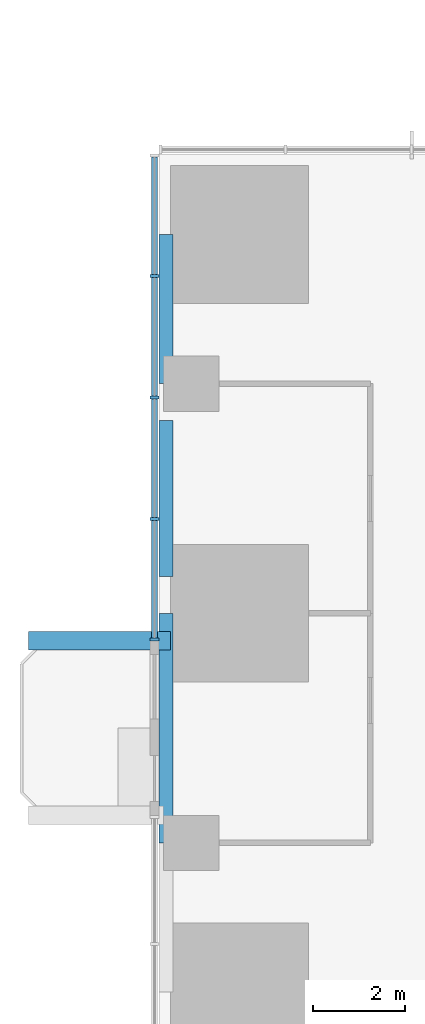
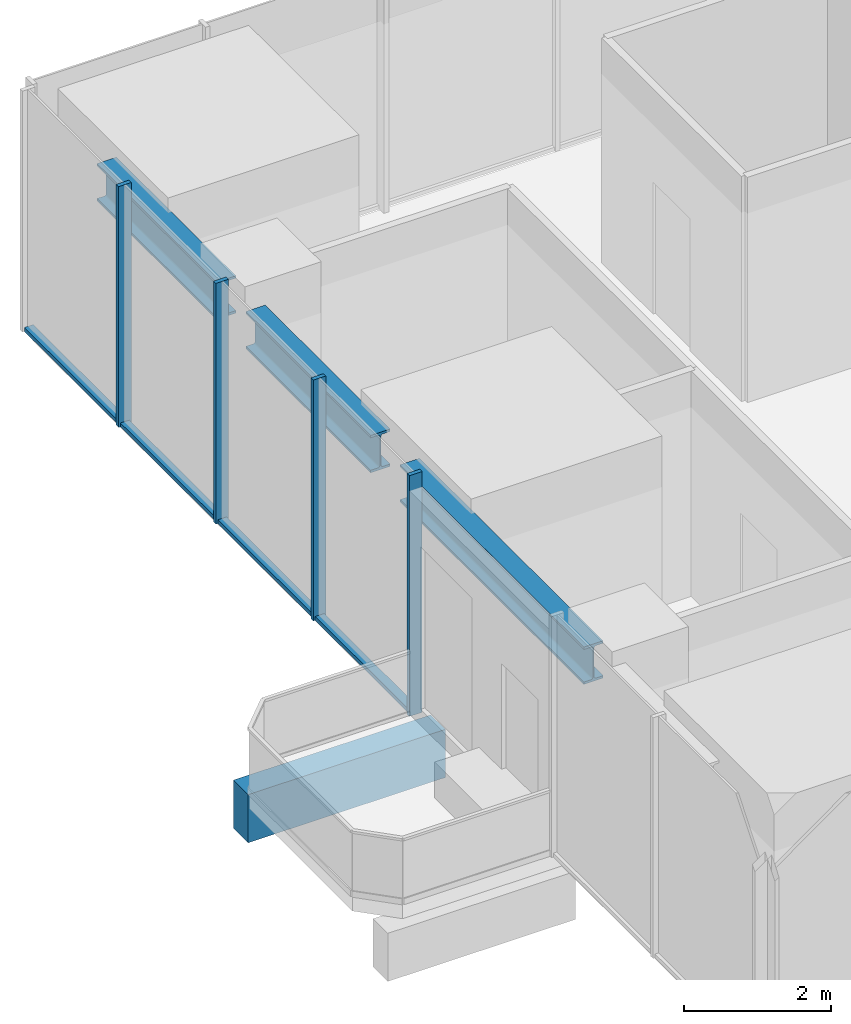
# One storey, part 3 of 14: 8 members, 4 beams, 1 element without a shape of its own.
"""IFC4 building model written with IfcOpenShell, lengths in metres."""

from ifc_helpers import new_model, si_unit, direction, frame, origin, origin_2d, place, context, subcontext, project, spatial, rectangle, i_section, extrude, material, material_profile, profile_set, type_object, element, aggregate, save


model = new_model("IFC4")

# Units and contexts
model_context = context("Model", 3, precision=1e-05, world=origin(), true_north=direction((0.0, 1.0)))
body_context = subcontext(model_context, "Body", "Model", "MODEL_VIEW")
ifc_project = project(units=[si_unit("LENGTHUNIT", "METRE"), si_unit("AREAUNIT", "SQUARE_METRE"), si_unit("VOLUMEUNIT", "CUBIC_METRE"), si_unit("PLANEANGLEUNIT", "RADIAN"), si_unit("MASSUNIT", "GRAM", prefix="KILO")], contexts=[model_context])

# Site, building, storey
site_placement = place(None, origin())
site = spatial("IfcSite", under=ifc_project, at=site_placement, CompositionType="ELEMENT")
building_placement = place(site_placement, origin())
building = spatial("IfcBuilding", under=site, at=building_placement, Name="Svetlomir Tower", CompositionType="ELEMENT")
storey_placement = place(building_placement, frame((0.0, 0.0, 104.5)))
storey = spatial("IfcBuildingStorey", under=building, at=storey_placement, Name="L24", CompositionType="ELEMENT", Elevation=104.5)

# Beam
ifc_material_1 = material(Name="Concrete C60/75", Category="concrete")
ifc_material_profile_1 = material_profile(ifc_material_1, rectangle(XDim=0.39990234375, YDim=0.800048828125, at=origin_2d()), Name="RC 400x800")
ifc_profile_set_1 = profile_set([ifc_material_profile_1], Name="Concrete C60/75")
beam_type_1 = type_object("IfcBeamType", Name="BALCONY RIB RC 400x800", PredefinedType="BEAM", material=ifc_profile_set_1)
beam_1_placement = place(storey_placement, frame((0.25, 20.39990234375, -0.64990234375), z_axis=(-1.0, 0.0, 0.0), x_axis=(0.0, -1.0, 0.0)))
element("IfcBeam", 1, at=beam_1_placement, inside=storey, type_object=beam_type_1, Name="Balcony rib W 2 L24", PredefinedType="BEAM", context=body_context, shape_type="SweptSolid", body=[
    extrude(rectangle(XDim=0.39990234375, YDim=0.800048828125, at=origin_2d()), origin(), (0.0, 0.0, 1.0), 3.10009765625),
])

# Curtain wall, members
ifc_material_2 = material(Name="Bronze anodised aluminium curtain wall", Category="aluminium")
curtain_wall_type = type_object("IfcCurtainWallType", Name="CURTAIN WALL CW1 TOWER OFFICE", PredefinedType="NOTDEFINED", material=ifc_material_2)
curtain_wall_placement = place(storey_placement, origin())
curtain_wall = element("IfcCurtainWall", 2, at=curtain_wall_placement, inside=storey, type_object=curtain_wall_type, Name="Curtain wall CW1 L24", PredefinedType="NOTDEFINED")
ifc_material_3 = material(Name="Bronze anodised aluminium", Category="aluminium")
ifc_material_profile_2 = material_profile(ifc_material_3, rectangle(XDim=0.06494140625, YDim=0.199951171875, at=origin_2d()), Name="AL 65x200")
ifc_profile_set_2 = profile_set([ifc_material_profile_2], Name="Bronze anodised aluminium 6063-T6")
member_type_1 = type_object("IfcMemberType", Name="CW1 MULLION 65x200", PredefinedType="MULLION", material=ifc_profile_set_2)
member_1_placement = place(storey_placement, frame((-0.10009765625, 28.35009765625, 0.0), z_axis=(0.0, 0.0, 1.0), x_axis=(0.0, -1.0, 0.0)))
member_1 = element("IfcMember", 3, at=member_1_placement, type_object=member_type_1, Name="CW1 mullion 2", PredefinedType="MULLION", context=body_context, shape_type="SweptSolid", body=[
    extrude(rectangle(XDim=0.06494140625, YDim=0.199951171875, at=origin_2d()), origin(), (0.0, 0.0, 1.0), 4.0),
])
member_2_placement = place(storey_placement, frame((-0.10009765625, 25.699951171875, 0.0), z_axis=(0.0, 0.0, 1.0), x_axis=(0.0, -1.0, 0.0)))
member_2 = element("IfcMember", 4, at=member_2_placement, type_object=member_type_1, Name="CW1 mullion 3", PredefinedType="MULLION", context=body_context, shape_type="SweptSolid", body=[
    extrude(rectangle(XDim=0.06494140625, YDim=0.199951171875, at=origin_2d()), origin(), (0.0, 0.0, 1.0), 4.0),
])
member_3_placement = place(storey_placement, frame((-0.10009765625, 23.050048828125, 0.0), z_axis=(0.0, 0.0, 1.0), x_axis=(0.0, -1.0, 0.0)))
member_3 = element("IfcMember", 5, at=member_3_placement, type_object=member_type_1, Name="CW1 mullion 4", PredefinedType="MULLION", context=body_context, shape_type="SweptSolid", body=[
    extrude(rectangle(XDim=0.06494140625, YDim=0.199951171875, at=origin_2d()), origin(), (0.0, 0.0, 1.0), 4.0),
])
member_4_placement = place(storey_placement, frame((-0.10009765625, 20.4326171875, 0.0), z_axis=(0.0, 0.0, 1.0), x_axis=(0.0, -1.0, 0.0)))
member_4 = element("IfcMember", 6, at=member_4_placement, type_object=member_type_1, Name="CW1 mullion 5", PredefinedType="MULLION", context=body_context, shape_type="SweptSolid", body=[
    extrude(rectangle(XDim=0.06494140625, YDim=0.199951171875, at=origin_2d()), origin(), (0.0, 0.0, 1.0), 4.0),
])
ifc_material_4 = material(Name="Bronze anodised aluminium", Category="aluminium")
ifc_material_profile_3 = material_profile(ifc_material_4, rectangle(XDim=0.139892578125, YDim=0.06494140625, at=origin_2d()), Name="AL 140x65")
ifc_profile_set_3 = profile_set([ifc_material_profile_3], Name="Bronze anodised aluminium 6063-T6")
member_type_2 = type_object("IfcMemberType", Name="CW1 TRANSOM 65x140", PredefinedType="USERDEFINED", material=ifc_profile_set_3)
member_5_placement = place(storey_placement, frame((-0.10009765625, 30.93505859375, 0.032470703125), z_axis=(0.0, -1.0, 0.0), x_axis=(1.0, 0.0, 0.0)))
member_5 = element("IfcMember", 7, at=member_5_placement, type_object=member_type_2, Name="CW1 transom 1.1", ObjectType="TRANSOM", PredefinedType="USERDEFINED", context=body_context, shape_type="SweptSolid", body=[
    extrude(rectangle(XDim=0.139892578125, YDim=0.06494140625, at=origin_2d()), origin(), (0.0, 0.0, 1.0), 2.552490234375),
])
member_6_placement = place(storey_placement, frame((-0.10009765625, 28.3173828125, 0.032470703125), z_axis=(0.0, -1.0, 0.0), x_axis=(1.0, 0.0, 0.0)))
member_6 = element("IfcMember", 8, at=member_6_placement, type_object=member_type_2, Name="CW1 transom 2.1", ObjectType="TRANSOM", PredefinedType="USERDEFINED", context=body_context, shape_type="SweptSolid", body=[
    extrude(rectangle(XDim=0.139892578125, YDim=0.06494140625, at=origin_2d()), origin(), (0.0, 0.0, 1.0), 2.5849609375),
])
member_7_placement = place(storey_placement, frame((-0.10009765625, 25.66748046875, 0.032470703125), z_axis=(0.0, -1.0, 0.0), x_axis=(1.0, 0.0, 0.0)))
member_7 = element("IfcMember", 9, at=member_7_placement, type_object=member_type_2, Name="CW1 transom 3.1", ObjectType="TRANSOM", PredefinedType="USERDEFINED", context=body_context, shape_type="SweptSolid", body=[
    extrude(rectangle(XDim=0.139892578125, YDim=0.06494140625, at=origin_2d()), origin(), (0.0, 0.0, 1.0), 2.5849609375),
])
member_8_placement = place(storey_placement, frame((-0.10009765625, 23.017578125, 0.032470703125), z_axis=(0.0, -1.0, 0.0), x_axis=(1.0, 0.0, 0.0)))
member_8 = element("IfcMember", 10, at=member_8_placement, type_object=member_type_2, Name="CW1 transom 4.1", ObjectType="TRANSOM", PredefinedType="USERDEFINED", context=body_context, shape_type="SweptSolid", body=[
    extrude(rectangle(XDim=0.139892578125, YDim=0.06494140625, at=origin_2d()), origin(), (0.0, 0.0, 1.0), 2.552490234375),
])
aggregate(curtain_wall, [member_1, member_2, member_3, member_4, member_5, member_6, member_7, member_8])

# Beams
ifc_material_5 = material(Name="Steel S355", Category="steel")
ifc_material_profile_4 = material_profile(ifc_material_5, i_section(OverallWidth=0.304931640625, OverallDepth=0.6201171875, WebThickness=0.02099609375, FlangeThickness=0.0400390625, FilletRadius=0.027099609375, at=origin_2d()), Name="HEM 600")
ifc_profile_set_4 = profile_set([ifc_material_profile_4], Name="Steel S355")
beam_type_2 = type_object("IfcBeamType", Name="EDGE BEAM HEM 600", PredefinedType="SPANDREL", material=ifc_profile_set_4)
beam_2_placement = place(storey_placement, frame((0.152587890625, 16.0, 3.43994140625), z_axis=(0.0, 1.0, 0.0), x_axis=(-1.0, 0.0, 0.0)))
element("IfcBeam", 11, at=beam_2_placement, inside=storey, type_object=beam_type_2, Name="Edge beam 0/16 to 0/21 under L25", PredefinedType="SPANDREL", context=body_context, shape_type="SweptSolid", body=[
    extrude(i_section(OverallWidth=0.304931640625, OverallDepth=0.6201171875, WebThickness=0.02099609375, FlangeThickness=0.0400390625, FilletRadius=0.027099609375, at=origin_2d()), origin(), (0.0, 0.0, 1.0), 5.0),
])
beam_3_placement = place(storey_placement, frame((0.152587890625, 21.800048828125, 3.43994140625), z_axis=(0.0, 1.0, 0.0), x_axis=(-1.0, 0.0, 0.0)))
element("IfcBeam", 12, at=beam_3_placement, inside=storey, type_object=beam_type_2, Name="Edge beam 0/21 to 0/26 under L25", PredefinedType="SPANDREL", context=body_context, shape_type="SweptSolid", body=[
    extrude(i_section(OverallWidth=0.304931640625, OverallDepth=0.6201171875, WebThickness=0.02099609375, FlangeThickness=0.0400390625, FilletRadius=0.027099609375, at=origin_2d()), origin(), (0.0, 0.0, 1.0), 3.39990234375),
])
beam_4_placement = place(storey_placement, frame((0.152587890625, 26.0, 3.43994140625), z_axis=(0.0, 1.0, 0.0), x_axis=(-1.0, 0.0, 0.0)))
element("IfcBeam", 13, at=beam_4_placement, inside=storey, type_object=beam_type_2, Name="Edge beam 0/26 to 0/31 under L25", PredefinedType="SPANDREL", context=body_context, shape_type="SweptSolid", body=[
    extrude(i_section(OverallWidth=0.304931640625, OverallDepth=0.6201171875, WebThickness=0.02099609375, FlangeThickness=0.0400390625, FilletRadius=0.027099609375, at=origin_2d()), origin(), (0.0, 0.0, 1.0), 3.25),
])

save(model, "model.ifc")
